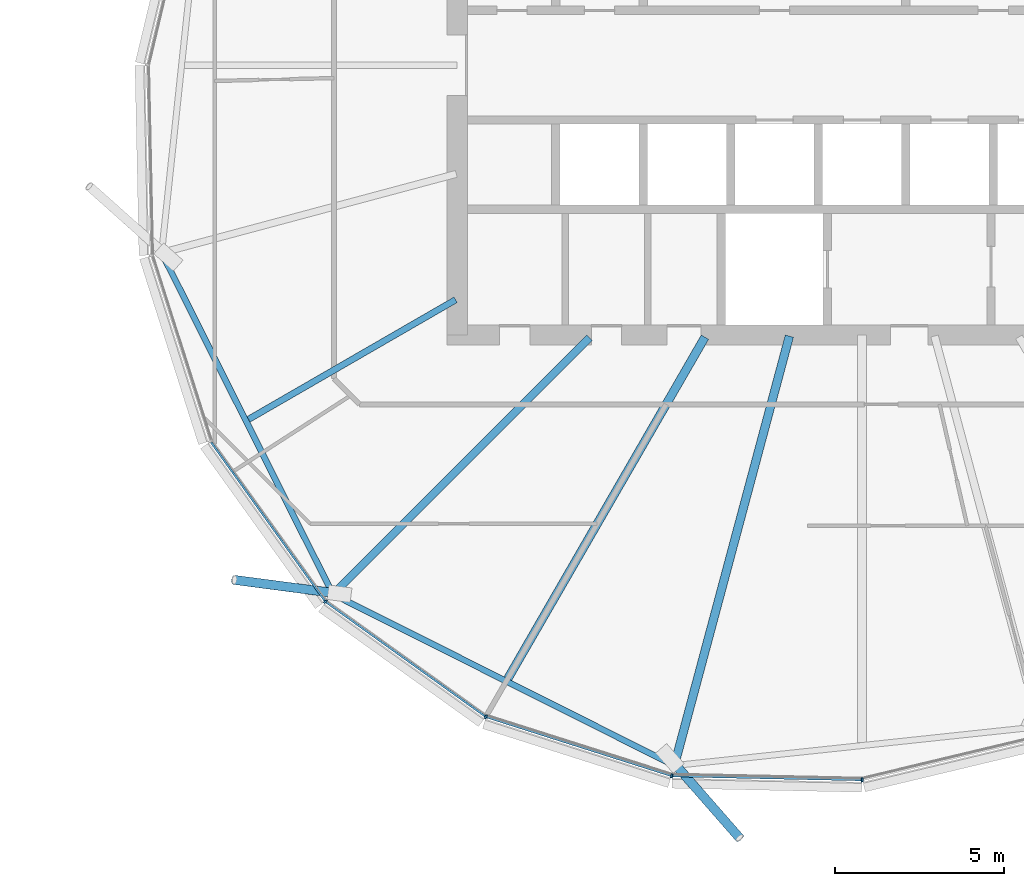
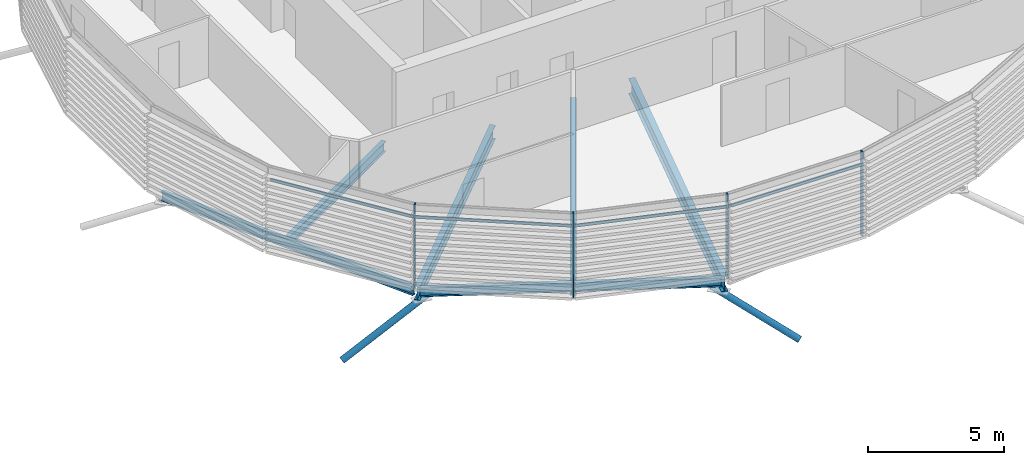
# One storey, part 12 of 37: 10 members, 6 beams, 1 element without a shape of its own.
"""IFC4 building model written with IfcOpenShell, lengths in metres."""

from ifc_helpers import new_model, si_unit, direction, frame, origin, origin_2d, place, context, subcontext, project, spatial, rectangle, hollow_circle, i_section, extrude, clip, halfspace, material, material_profile, profile_set, type_object, element, aggregate, save


model = new_model("IFC4")

# Units and contexts
model_context = context("Model", 3, precision=1e-05, world=origin(), true_north=direction((0.0, 1.0)))
body_context = subcontext(model_context, "Body", "Model", "MODEL_VIEW")
ifc_project = project(units=[si_unit("LENGTHUNIT", "METRE"), si_unit("AREAUNIT", "SQUARE_METRE"), si_unit("VOLUMEUNIT", "CUBIC_METRE"), si_unit("PLANEANGLEUNIT", "RADIAN"), si_unit("MASSUNIT", "GRAM", prefix="KILO")], contexts=[model_context])

# Site, building, storey
site_placement = place(None, origin())
site = spatial("IfcSite", under=ifc_project, at=site_placement, CompositionType="ELEMENT")
building_placement = place(site_placement, origin())
building = spatial("IfcBuilding", under=site, at=building_placement, Name="Rimbun Link Towers", CompositionType="ELEMENT")
storey_placement = place(building_placement, frame((0.0, 0.0, 166.5)))
storey = spatial("IfcBuildingStorey", under=building, at=storey_placement, Name="L40", CompositionType="ELEMENT", Elevation=166.5)

# Curtain wall, members
ifc_material_1 = material(Name="Aluminium 6063-T6 and low-iron glass", Category="aluminium")
curtain_wall_type = type_object("IfcCurtainWallType", Name="CW1-Z3 unitised vision wall (zone 3)", PredefinedType="NOTDEFINED", material=ifc_material_1)
curtain_wall_placement = place(storey_placement, origin())
curtain_wall = element("IfcCurtainWall", 1, at=curtain_wall_placement, inside=storey, type_object=curtain_wall_type, Name="CW1 L40 T2", PredefinedType="NOTDEFINED")
ifc_material_2 = material(Name="Aluminium 6063-T6", Category="aluminium")
ifc_material_profile_1 = material_profile(ifc_material_2, rectangle(XDim=0.1201171875, YDim=0.06005859375, at=origin_2d()), Name="MULLION 60X120")
ifc_profile_set_1 = profile_set([ifc_material_profile_1], Name="Aluminium 6063-T6")
member_type_1 = type_object("IfcMemberType", Name="CW1 mullion 60X120", PredefinedType="MULLION", material=ifc_profile_set_1)
member_1_placement = place(storey_placement, frame((15.843017578125, -15.906982421875, 0.0), z_axis=(0.0, 0.0, 1.0), x_axis=(-0.707106781187, -0.707106781187, 0.0)))
member_1 = element("IfcMember", 2, at=member_1_placement, type_object=member_type_1, Name="CW1 mullion", PredefinedType="MULLION", context=body_context, shape_type="SweptSolid", body=[
    extrude(rectangle(XDim=0.1201171875, YDim=0.06005859375, at=origin_2d()), origin(), (0.0, 0.0, 1.0), 3.800048828125),
])
member_2_placement = place(storey_placement, frame((20.599365234375, -19.3203125, 0.0), z_axis=(0.0, 0.0, 1.0), x_axis=(-0.448577408247, -0.893743983929, 0.0)))
member_2 = element("IfcMember", 3, at=member_2_placement, type_object=member_type_1, Name="CW1 mullion", PredefinedType="MULLION", context=body_context, shape_type="SweptSolid", body=[
    extrude(rectangle(XDim=0.1201171875, YDim=0.06005859375, at=origin_2d()), origin(), (0.0, 0.0, 1.0), 3.800048828125),
])
member_3_placement = place(storey_placement, frame((26.109619140625, -21.07275390625, 0.0), z_axis=(0.0, 0.0, 1.0), x_axis=(-0.163751896819, -0.986501554123, 0.0)))
member_3 = element("IfcMember", 4, at=member_3_placement, type_object=member_type_1, Name="CW1 mullion", PredefinedType="MULLION", context=body_context, shape_type="SweptSolid", body=[
    extrude(rectangle(XDim=0.1201171875, YDim=0.06005859375, at=origin_2d()), origin(), (0.0, 0.0, 1.0), 3.800048828125),
])
member_4_placement = place(storey_placement, frame((31.75634765625, -21.19189453125, 0.0), z_axis=(0.0, 0.0, 1.0), x_axis=(0.106647052549, -0.994296940648, 0.0)))
member_4 = element("IfcMember", 5, at=member_4_placement, type_object=member_type_1, Name="CW1 mullion", PredefinedType="MULLION", context=body_context, shape_type="SweptSolid", body=[
    extrude(rectangle(XDim=0.1201171875, YDim=0.06005859375, at=origin_2d()), origin(), (0.0, 0.0, 1.0), 3.800048828125),
])
ifc_material_3 = material(Name="Aluminium 6063-T6", Category="aluminium")
ifc_material_profile_2 = material_profile(ifc_material_3, rectangle(XDim=0.06005859375, YDim=0.1201171875, at=origin_2d()), Name="TRANSOM 60X120")
ifc_profile_set_2 = profile_set([ifc_material_profile_2], Name="Aluminium 6063-T6")
member_type_2 = type_object("IfcMemberType", Name="CW1 transom 60X120", PredefinedType="USERDEFINED", material=ifc_profile_set_2)
member_5_placement = place(storey_placement, frame((15.82080078125, -15.8740234375, 3.199951171875), z_axis=(-0.583004343715, 0.812469036462, 0.0), x_axis=(-0.812469036462, -0.583004343715, 0.0)))
member_5 = element("IfcMember", 6, at=member_5_placement, type_object=member_type_2, Name="CW1 transom", ObjectType="TRANSOM", PredefinedType="USERDEFINED", context=body_context, shape_type="SweptSolid", body=[
    extrude(rectangle(XDim=0.06005859375, YDim=0.1201171875, at=origin_2d()), origin(), (0.0, 0.0, 1.0), 5.775146484375),
])
member_6_placement = place(storey_placement, frame((20.568115234375, -19.296142578125, 3.199951171875), z_axis=(-0.812469036462, 0.583004343715, 0.0), x_axis=(-0.583004343715, -0.812469036462, 0.0)))
member_6 = element("IfcMember", 7, at=member_6_placement, type_object=member_type_2, Name="CW1 transom", ObjectType="TRANSOM", PredefinedType="USERDEFINED", context=body_context, shape_type="SweptSolid", body=[
    extrude(rectangle(XDim=0.06005859375, YDim=0.1201171875, at=origin_2d()), origin(), (0.0, 0.0, 1.0), 5.775146484375),
])
member_7_placement = place(storey_placement, frame((26.0732421875, -21.059814453125, 3.199951171875), z_axis=(-0.95296680575, 0.303074689042, 0.0), x_axis=(-0.303074689042, -0.95296680575, 0.0)))
member_7 = element("IfcMember", 8, at=member_7_placement, type_object=member_type_2, Name="CW1 transom", ObjectType="TRANSOM", PredefinedType="USERDEFINED", context=body_context, shape_type="SweptSolid", body=[
    extrude(rectangle(XDim=0.06005859375, YDim=0.1201171875, at=origin_2d()), origin(), (0.0, 0.0, 1.0), 5.7041015625),
])
member_8_placement = place(storey_placement, frame((31.71875, -21.189453125, 3.199951171875), z_axis=(-0.999778796867, 0.021032292698, 0.0), x_axis=(-0.021032292698, -0.999778796867, 0.0)))
member_8 = element("IfcMember", 9, at=member_8_placement, type_object=member_type_2, Name="CW1 transom", ObjectType="TRANSOM", PredefinedType="USERDEFINED", context=body_context, shape_type="SweptSolid", body=[
    extrude(rectangle(XDim=0.06005859375, YDim=0.1201171875, at=origin_2d()), origin(), (0.0, 0.0, 1.0), 5.57177734375),
])
aggregate(curtain_wall, [member_1, member_2, member_3, member_4, member_5, member_6, member_7, member_8])

# Members
ifc_material_4 = material(Name="Steel S355J2H", Category="steel")
ifc_material_profile_3 = material_profile(ifc_material_4, hollow_circle(Radius=0.136474609375, WallThickness=0.012451171875, at=origin_2d()), Name="CHS 273x12.5")
ifc_profile_set_3 = profile_set([ifc_material_profile_3], Name="Steel S355J2H")
member_type_3 = type_object("IfcMemberType", Name="Floor edge link CHS 273x12.5", PredefinedType="BRACE", material=ifc_profile_set_3)
member_9_placement = place(storey_placement, frame((16.099853515625, -15.650146484375, -0.86962890625), z_axis=(-0.848994009155, 0.111830981966, -0.516432961662), x_axis=(-0.130593687626, -0.991435973098, 0.0)))
element("IfcMember", 10, at=member_9_placement, inside=storey, type_object=member_type_3, Name="Floor edge link T2 L40 12", PredefinedType="BRACE", context=body_context, shape_type="Clipping", body=[
    clip(extrude(hollow_circle(Radius=0.136474609375, WallThickness=0.012451171875, at=origin_2d()), frame((0.0, 0.0, -0.47216796875)), (0.0, 0.0, 1.0), 3.969482421875), halfspace(frame((0.0, 0.0, -0.22265625), z_axis=(0.0, 0.856327621947, -0.516432961662)), False)),
])
member_10_placement = place(storey_placement, frame((26.198974609375, -20.716796875, -0.956787109375), z_axis=(0.594664843639, -0.679197580273, -0.430191086253), x_axis=(0.752375209282, 0.658734805865, 0.0)))
element("IfcMember", 11, at=member_10_placement, inside=storey, type_object=member_type_3, Name="Floor edge link T2 L40 14", PredefinedType="BRACE", context=body_context, shape_type="Clipping", body=[
    clip(extrude(hollow_circle(Radius=0.136474609375, WallThickness=0.012451171875, at=origin_2d()), frame((0.0, 0.0, -0.59619140625)), (0.0, 0.0, 1.0), 3.839599609375), halfspace(frame((0.0, 0.0, -0.281982421875), z_axis=(0.0, 0.902737851931, -0.430191086253)), False)),
])

# Beams
ifc_material_5 = material(Name="Steel S355J2", Category="steel")
ifc_material_profile_4 = material_profile(ifc_material_5, i_section(OverallWidth=0.177978515625, OverallDepth=0.406494140625, WebThickness=0.0078125, FlangeThickness=0.0126953125, at=origin_2d()), Name="UB 406x178x60")
ifc_profile_set_4 = profile_set([ifc_material_profile_4], Name="Steel S355J2")
beam_type_1 = type_object("IfcBeamType", Name="UB 406x178x60", PredefinedType="BEAM", material=ifc_profile_set_4)
beam_1_placement = place(storey_placement, frame((11.033447265625, -5.660400390625, -0.353271484375), z_axis=(0.448533294644, -0.893766123544, 0.0), x_axis=(0.893766123544, 0.448533294644, 0.0)))
element("IfcBeam", 12, at=beam_1_placement, inside=storey, type_object=beam_type_1, Name="Edge beam T2 L40 10-12", PredefinedType="BEAM", context=body_context, shape_type="SweptSolid", body=[
    extrude(i_section(OverallWidth=0.177978515625, OverallDepth=0.406494140625, WebThickness=0.0078125, FlangeThickness=0.0126953125, at=origin_2d()), origin(), (0.0, 0.0, 1.0), 11.095703125),
])
beam_2_placement = place(storey_placement, frame((16.172607421875, -15.73974609375, -0.353271484375), z_axis=(0.893769188374, -0.448527187485, 0.0), x_axis=(0.448527187485, 0.893769188374, 0.0)))
element("IfcBeam", 13, at=beam_2_placement, inside=storey, type_object=beam_type_1, Name="Edge beam T2 L40 12-14", PredefinedType="BEAM", context=body_context, shape_type="SweptSolid", body=[
    extrude(i_section(OverallWidth=0.177978515625, OverallDepth=0.406494140625, WebThickness=0.0078125, FlangeThickness=0.0126953125, at=origin_2d()), origin(), (0.0, 0.0, 1.0), 11.072998046875),
])
ifc_material_6 = material(Name="Steel S355J2", Category="steel")
ifc_material_profile_5 = material_profile(ifc_material_6, i_section(OverallWidth=0.18994140625, OverallDepth=0.453369140625, WebThickness=0.008544921875, FlangeThickness=0.0126953125, at=origin_2d()), Name="UB 457x191x67")
ifc_profile_set_5 = profile_set([ifc_material_profile_5], Name="Steel S355J2")
beam_type_2 = type_object("IfcBeamType", Name="UB 457x191x67", PredefinedType="BEAM", material=ifc_profile_set_5)
beam_3_placement = place(storey_placement, frame((19.70166015625, -6.9560546875, -0.376708984375), z_axis=(-0.866023840316, -0.500002707997, 0.0), x_axis=(0.500002707997, -0.866023840316, 0.0)))
element("IfcBeam", 14, at=beam_3_placement, inside=storey, type_object=beam_type_2, Name="Radial beam T2 L40 11", PredefinedType="BEAM", context=body_context, shape_type="SweptSolid", body=[
    extrude(i_section(OverallWidth=0.18994140625, OverallDepth=0.453369140625, WebThickness=0.008544921875, FlangeThickness=0.0126953125, at=origin_2d()), origin(), (0.0, 0.0, 1.0), 7.08837890625),
])
ifc_material_7 = material(Name="Steel S355J2", Category="steel")
ifc_material_profile_6 = material_profile(ifc_material_7, i_section(OverallWidth=0.2275390625, OverallDepth=0.6025390625, WebThickness=0.010498046875, FlangeThickness=0.014892578125, at=origin_2d()), Name="UB 610x229x101")
ifc_profile_set_6 = profile_set([ifc_material_profile_6], Name="Steel S355J2")
beam_type_3 = type_object("IfcBeamType", Name="UB 610x229x101", PredefinedType="BEAM", material=ifc_profile_set_6)
beam_4_placement = place(storey_placement, frame((23.668701171875, -8.081298828125, -0.451416015625), z_axis=(-0.707106781187, -0.707106781187, 0.0), x_axis=(0.707106781187, -0.707106781187, 0.0)))
element("IfcBeam", 15, at=beam_4_placement, inside=storey, type_object=beam_type_3, Name="Radial beam T2 L40 12", PredefinedType="BEAM", context=body_context, shape_type="SweptSolid", body=[
    extrude(i_section(OverallWidth=0.2275390625, OverallDepth=0.6025390625, WebThickness=0.010498046875, FlangeThickness=0.014892578125, at=origin_2d()), origin(), (0.0, 0.0, 1.0), 10.753662109375),
])
ifc_material_8 = material(Name="Steel S355J2", Category="steel")
ifc_material_profile_7 = material_profile(ifc_material_8, i_section(OverallWidth=0.253662109375, OverallDepth=0.68359375, WebThickness=0.012451171875, FlangeThickness=0.01904296875, at=origin_2d()), Name="UB 686x254x140")
ifc_profile_set_7 = profile_set([ifc_material_profile_7], Name="Steel S355J2")
beam_type_4 = type_object("IfcBeamType", Name="UB 686x254x140", PredefinedType="BEAM", material=ifc_profile_set_7)
beam_5_placement = place(storey_placement, frame((27.093994140625, -8.064208984375, -0.49169921875), z_axis=(-0.499989438348, -0.866031501471, 0.0), x_axis=(0.866031501471, -0.499989438348, 0.0)))
element("IfcBeam", 16, at=beam_5_placement, inside=storey, type_object=beam_type_4, Name="Radial beam T2 L40 13", PredefinedType="BEAM", context=body_context, shape_type="SweptSolid", body=[
    extrude(i_section(OverallWidth=0.253662109375, OverallDepth=0.68359375, WebThickness=0.012451171875, FlangeThickness=0.01904296875, at=origin_2d()), origin(), (0.0, 0.0, 1.0), 11.688720703125),
])
beam_6_placement = place(storey_placement, frame((29.597412109375, -8.03369140625, -0.49169921875), z_axis=(-0.258823425511, -0.965924652552, 0.0), x_axis=(0.965924652552, -0.258823425511, 0.0)))
element("IfcBeam", 17, at=beam_6_placement, inside=storey, type_object=beam_type_4, Name="Radial beam T2 L40 14", PredefinedType="BEAM", context=body_context, shape_type="SweptSolid", body=[
    extrude(i_section(OverallWidth=0.253662109375, OverallDepth=0.68359375, WebThickness=0.012451171875, FlangeThickness=0.01904296875, at=origin_2d()), origin(), (0.0, 0.0, 1.0), 13.180419921875),
])

save(model, "model.ifc")
